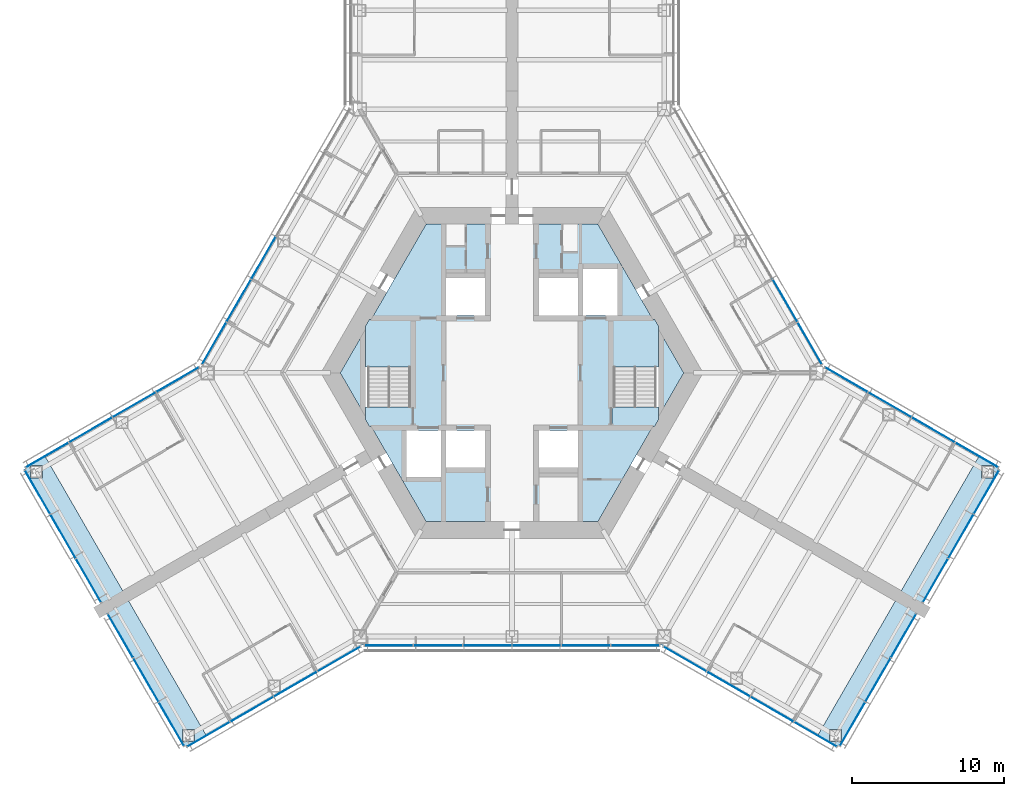
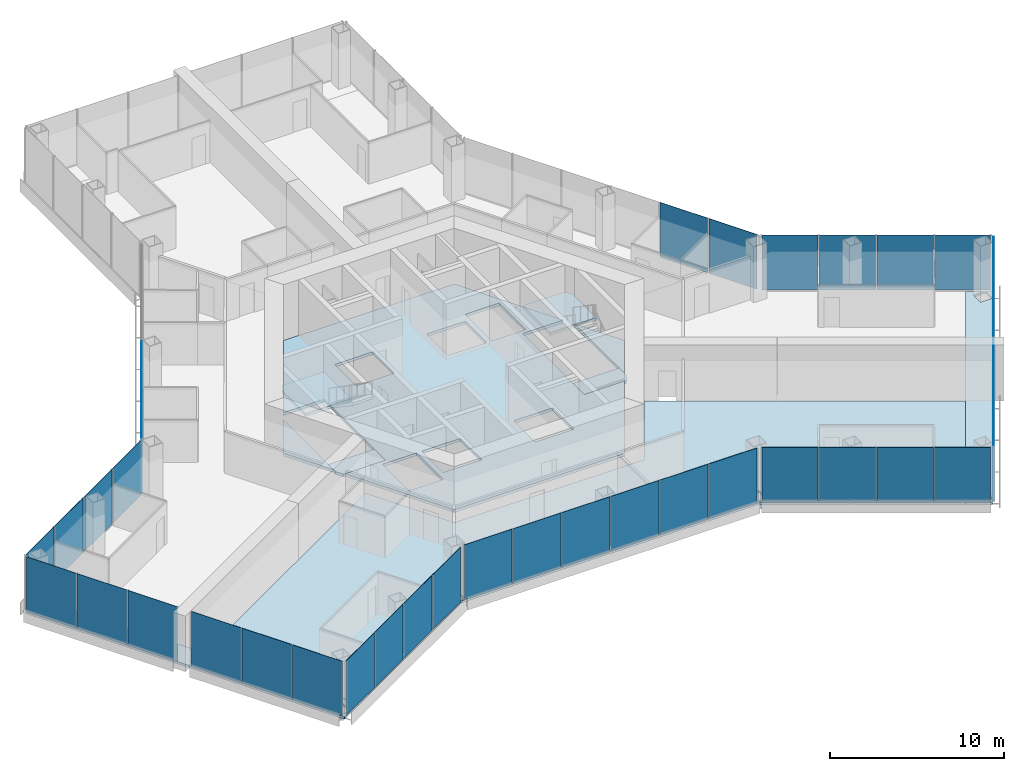
# One storey, part 10 of 18: 39 plates, 10 slabs, 13 elements without a shape of their own.
"""IFC4 building model written with IfcOpenShell, lengths in metres."""

from ifc_helpers import new_model, si_unit, direction, frame, origin, origin_2d, place, context, subcontext, project, spatial, polyline, rectangle, outline, extrude, material, layer, layer_set, type_object, element, aggregate, save


model = new_model("IFC4")

# Units and contexts
model_context = context("Model", 3, precision=1e-05, world=origin(), true_north=direction((0.0, 1.0)))
body_context = subcontext(model_context, "Body", "Model", "MODEL_VIEW")
ifc_project = project(units=[si_unit("LENGTHUNIT", "METRE"), si_unit("AREAUNIT", "SQUARE_METRE"), si_unit("VOLUMEUNIT", "CUBIC_METRE"), si_unit("PLANEANGLEUNIT", "RADIAN"), si_unit("MASSUNIT", "GRAM", prefix="KILO")], contexts=[model_context])

# Site, building, storey
site_placement = place(None, origin())
site = spatial("IfcSite", under=ifc_project, at=site_placement, CompositionType="ELEMENT")
building_placement = place(site_placement, origin())
building = spatial("IfcBuilding", under=site, at=building_placement, Name="Kasaneha Research Tower", CompositionType="ELEMENT")
storey_placement = place(building_placement, frame((0.0, 0.0, 69.0)))
storey = spatial("IfcBuildingStorey", under=building, at=storey_placement, Name="L17", CompositionType="ELEMENT", Elevation=69.0)

# Curtain wall, plates
ifc_material_1 = material(Name="Glass and aluminium", Category="aluminium")
curtain_wall_type = type_object("IfcCurtainWallType", Name="Low-rise office curtain wall", PredefinedType="USERDEFINED", material=ifc_material_1)
curtain_wall_1_placement = place(storey_placement, origin())
curtain_wall_1 = element("IfcCurtainWall", 1, at=curtain_wall_1_placement, inside=storey, type_object=curtain_wall_type, Name="CW-O1 L17 run 01a", ObjectType="UNITISED CURTAIN WALL", PredefinedType="USERDEFINED")
ifc_material_2 = material(Name="Laminated double glazing", Category="glass")
ifc_layer_1 = layer(ifc_material_2, 0.028076171875)
ifc_layer_set_1 = layer_set([ifc_layer_1], Name="CW-O1 glazed panel")
plate_type = type_object("IfcPlateType", Name="CW-O1 glazed panel", PredefinedType="CURTAIN_PANEL", material=ifc_layer_set_1)
plate_1_placement = place(storey_placement, frame((-19.945068359375, -23.755126953125, 0.06005859375), z_axis=(0.0, 0.0, 1.0), x_axis=(0.866025411464, 0.499999986699, 0.0)))
plate_1 = element("IfcPlate", 2, at=plate_1_placement, type_object=plate_type, Name="CW-O1 panel 1", PredefinedType="CURTAIN_PANEL", context=body_context, shape_type="SweptSolid", body=[
    extrude(rectangle(XDim=3.2197265625, YDim=0.028076171875, at=origin_2d()), origin(), (0.0, 0.0, 1.0), 3.840087890625),
])
plate_2_placement = place(storey_placement, frame((-17.091796875, -22.107666015625, 0.06005859375), z_axis=(0.0, 0.0, 1.0), x_axis=(0.866025411464, 0.499999986699, 0.0)))
plate_2 = element("IfcPlate", 3, at=plate_2_placement, type_object=plate_type, Name="CW-O1 panel 2", PredefinedType="CURTAIN_PANEL", context=body_context, shape_type="SweptSolid", body=[
    extrude(rectangle(XDim=3.249755859375, YDim=0.028076171875, at=origin_2d()), origin(), (0.0, 0.0, 1.0), 3.840087890625),
])
plate_3_placement = place(storey_placement, frame((-14.225341796875, -20.452880859375, 0.06005859375), z_axis=(0.0, 0.0, 1.0), x_axis=(0.866025411464, 0.499999986699, 0.0)))
plate_3 = element("IfcPlate", 4, at=plate_3_placement, type_object=plate_type, Name="CW-O1 panel 3", PredefinedType="CURTAIN_PANEL", context=body_context, shape_type="SweptSolid", body=[
    extrude(rectangle(XDim=3.249755859375, YDim=0.028076171875, at=origin_2d()), origin(), (0.0, 0.0, 1.0), 3.840087890625),
])
plate_4_placement = place(storey_placement, frame((-11.3720703125, -18.805419921875, 0.06005859375), z_axis=(0.0, 0.0, 1.0), x_axis=(0.866025411464, 0.499999986699, 0.0)))
plate_4 = element("IfcPlate", 5, at=plate_4_placement, type_object=plate_type, Name="CW-O1 panel 4", PredefinedType="CURTAIN_PANEL", context=body_context, shape_type="SweptSolid", body=[
    extrude(rectangle(XDim=3.2197265625, YDim=0.028076171875, at=origin_2d()), origin(), (0.0, 0.0, 1.0), 3.840087890625),
])
aggregate(curtain_wall_1, [plate_1, plate_2, plate_3, plate_4])

curtain_wall_2_placement = place(storey_placement, origin())
curtain_wall_2 = element("IfcCurtainWall", 6, at=curtain_wall_2_placement, inside=storey, type_object=curtain_wall_type, Name="CW-O1 L17 run 02a", ObjectType="UNITISED CURTAIN WALL", PredefinedType="USERDEFINED")
plate_5_placement = place(storey_placement, frame((-8.10107421875, -17.92041015625, 0.06005859375), z_axis=(0.0, 0.0, 1.0), x_axis=(1.0, 0.0, 0.0)))
plate_5 = element("IfcPlate", 7, at=plate_5_placement, type_object=plate_type, Name="CW-O1 panel 1", PredefinedType="CURTAIN_PANEL", context=body_context, shape_type="SweptSolid", body=[
    extrude(rectangle(XDim=3.156494140625, YDim=0.028076171875, at=origin_2d()), origin(), (0.0, 0.0, 1.0), 3.840087890625),
])
plate_6_placement = place(storey_placement, frame((-4.86962890625, -17.92041015625, 0.06005859375), z_axis=(0.0, 0.0, 1.0), x_axis=(1.0, 0.0, 0.0)))
plate_6 = element("IfcPlate", 8, at=plate_6_placement, type_object=plate_type, Name="CW-O1 panel 2", PredefinedType="CURTAIN_PANEL", context=body_context, shape_type="SweptSolid", body=[
    extrude(rectangle(XDim=3.1865234375, YDim=0.028076171875, at=origin_2d()), origin(), (0.0, 0.0, 1.0), 3.840087890625),
])
plate_7_placement = place(storey_placement, frame((-1.623291015625, -17.92041015625, 0.06005859375), z_axis=(0.0, 0.0, 1.0), x_axis=(1.0, 0.0, 0.0)))
plate_7 = element("IfcPlate", 9, at=plate_7_placement, type_object=plate_type, Name="CW-O1 panel 3", PredefinedType="CURTAIN_PANEL", context=body_context, shape_type="SweptSolid", body=[
    extrude(rectangle(XDim=3.1865234375, YDim=0.028076171875, at=origin_2d()), origin(), (0.0, 0.0, 1.0), 3.840087890625),
])
plate_8_placement = place(storey_placement, frame((1.623291015625, -17.92041015625, 0.06005859375), z_axis=(0.0, 0.0, 1.0), x_axis=(1.0, 0.0, 0.0)))
plate_8 = element("IfcPlate", 10, at=plate_8_placement, type_object=plate_type, Name="CW-O1 panel 4", PredefinedType="CURTAIN_PANEL", context=body_context, shape_type="SweptSolid", body=[
    extrude(rectangle(XDim=3.1865234375, YDim=0.028076171875, at=origin_2d()), origin(), (0.0, 0.0, 1.0), 3.840087890625),
])
plate_9_placement = place(storey_placement, frame((4.86962890625, -17.92041015625, 0.06005859375), z_axis=(0.0, 0.0, 1.0), x_axis=(1.0, 0.0, 0.0)))
plate_9 = element("IfcPlate", 11, at=plate_9_placement, type_object=plate_type, Name="CW-O1 panel 5", PredefinedType="CURTAIN_PANEL", context=body_context, shape_type="SweptSolid", body=[
    extrude(rectangle(XDim=3.1865234375, YDim=0.028076171875, at=origin_2d()), origin(), (0.0, 0.0, 1.0), 3.840087890625),
])
plate_10_placement = place(storey_placement, frame((8.10107421875, -17.92041015625, 0.06005859375), z_axis=(0.0, 0.0, 1.0), x_axis=(1.0, 0.0, 0.0)))
plate_10 = element("IfcPlate", 12, at=plate_10_placement, type_object=plate_type, Name="CW-O1 panel 6", PredefinedType="CURTAIN_PANEL", context=body_context, shape_type="SweptSolid", body=[
    extrude(rectangle(XDim=3.156494140625, YDim=0.028076171875, at=origin_2d()), origin(), (0.0, 0.0, 1.0), 3.840087890625),
])
aggregate(curtain_wall_2, [plate_5, plate_6, plate_7, plate_8, plate_9, plate_10])

curtain_wall_3_placement = place(storey_placement, origin())
curtain_wall_3 = element("IfcCurtainWall", 13, at=curtain_wall_3_placement, inside=storey, type_object=curtain_wall_type, Name="CW-O1 L17 run 03a", ObjectType="UNITISED CURTAIN WALL", PredefinedType="USERDEFINED")
plate_11_placement = place(storey_placement, frame((11.3720703125, -18.805419921875, 0.06005859375), z_axis=(0.0, 0.0, 1.0), x_axis=(0.866025411464, -0.499999986699, 0.0)))
plate_11 = element("IfcPlate", 14, at=plate_11_placement, type_object=plate_type, Name="CW-O1 panel 1", PredefinedType="CURTAIN_PANEL", context=body_context, shape_type="SweptSolid", body=[
    extrude(rectangle(XDim=3.2197265625, YDim=0.028076171875, at=origin_2d()), origin(), (0.0, 0.0, 1.0), 3.840087890625),
])
plate_12_placement = place(storey_placement, frame((14.225341796875, -20.452880859375, 0.06005859375), z_axis=(0.0, 0.0, 1.0), x_axis=(0.866025411464, -0.499999986699, 0.0)))
plate_12 = element("IfcPlate", 15, at=plate_12_placement, type_object=plate_type, Name="CW-O1 panel 2", PredefinedType="CURTAIN_PANEL", context=body_context, shape_type="SweptSolid", body=[
    extrude(rectangle(XDim=3.249755859375, YDim=0.028076171875, at=origin_2d()), origin(), (0.0, 0.0, 1.0), 3.840087890625),
])
plate_13_placement = place(storey_placement, frame((17.091796875, -22.107666015625, 0.06005859375), z_axis=(0.0, 0.0, 1.0), x_axis=(0.866025411464, -0.499999986699, 0.0)))
plate_13 = element("IfcPlate", 16, at=plate_13_placement, type_object=plate_type, Name="CW-O1 panel 3", PredefinedType="CURTAIN_PANEL", context=body_context, shape_type="SweptSolid", body=[
    extrude(rectangle(XDim=3.249755859375, YDim=0.028076171875, at=origin_2d()), origin(), (0.0, 0.0, 1.0), 3.840087890625),
])
plate_14_placement = place(storey_placement, frame((19.945068359375, -23.755126953125, 0.06005859375), z_axis=(0.0, 0.0, 1.0), x_axis=(0.866025411464, -0.499999986699, 0.0)))
plate_14 = element("IfcPlate", 17, at=plate_14_placement, type_object=plate_type, Name="CW-O1 panel 4", PredefinedType="CURTAIN_PANEL", context=body_context, shape_type="SweptSolid", body=[
    extrude(rectangle(XDim=3.2197265625, YDim=0.028076171875, at=origin_2d()), origin(), (0.0, 0.0, 1.0), 3.840087890625),
])
aggregate(curtain_wall_3, [plate_11, plate_12, plate_13, plate_14])

curtain_wall_4_placement = place(storey_placement, origin())
curtain_wall_4 = element("IfcCurtainWall", 18, at=curtain_wall_4_placement, inside=storey, type_object=curtain_wall_type, Name="CW-O1 L17 run 04a", ObjectType="UNITISED CURTAIN WALL", PredefinedType="USERDEFINED")
plate_15_placement = place(storey_placement, frame((22.377197265625, -23.082763671875, 0.06005859375), z_axis=(0.0, 0.0, 1.0), x_axis=(0.500000011442, 0.866025397178, 0.0)))
plate_15 = element("IfcPlate", 19, at=plate_15_placement, type_object=plate_type, Name="CW-O1 panel 1", PredefinedType="CURTAIN_PANEL", context=body_context, shape_type="SweptSolid", body=[
    extrude(rectangle(XDim=3.276611328125, YDim=0.028076171875, at=origin_2d()), origin(), (0.0, 0.0, 1.0), 3.840087890625),
])
plate_16_placement = place(storey_placement, frame((24.052978515625, -20.18017578125, 0.06005859375), z_axis=(0.0, 0.0, 1.0), x_axis=(0.500000011442, 0.866025397178, 0.0)))
plate_16 = element("IfcPlate", 20, at=plate_16_placement, type_object=plate_type, Name="CW-O1 panel 2", PredefinedType="CURTAIN_PANEL", context=body_context, shape_type="SweptSolid", body=[
    extrude(rectangle(XDim=3.306640625, YDim=0.028076171875, at=origin_2d()), origin(), (0.0, 0.0, 1.0), 3.840087890625),
])
plate_17_placement = place(storey_placement, frame((25.728759765625, -17.27734375, 0.06005859375), z_axis=(0.0, 0.0, 1.0), x_axis=(0.500000011442, 0.866025397178, 0.0)))
plate_17 = element("IfcPlate", 21, at=plate_17_placement, type_object=plate_type, Name="CW-O1 panel 3", PredefinedType="CURTAIN_PANEL", context=body_context, shape_type="SweptSolid", body=[
    extrude(rectangle(XDim=3.276611328125, YDim=0.028076171875, at=origin_2d()), origin(), (0.0, 0.0, 1.0), 3.840087890625),
])
aggregate(curtain_wall_4, [plate_15, plate_16, plate_17])

curtain_wall_5_placement = place(storey_placement, origin())
curtain_wall_5 = element("IfcCurtainWall", 22, at=curtain_wall_5_placement, inside=storey, type_object=curtain_wall_type, Name="CW-O1 L17 run 05a", ObjectType="UNITISED CURTAIN WALL", PredefinedType="USERDEFINED")
plate_18_placement = place(storey_placement, frame((27.8271484375, -13.64306640625, 0.06005859375), z_axis=(0.0, 0.0, 1.0), x_axis=(0.500000011442, 0.866025397178, 0.0)))
plate_18 = element("IfcPlate", 23, at=plate_18_placement, type_object=plate_type, Name="CW-O1 panel 1", PredefinedType="CURTAIN_PANEL", context=body_context, shape_type="SweptSolid", body=[
    extrude(rectangle(XDim=3.276611328125, YDim=0.028076171875, at=origin_2d()), origin(), (0.0, 0.0, 1.0), 3.840087890625),
])
plate_19_placement = place(storey_placement, frame((29.5029296875, -10.740478515625, 0.06005859375), z_axis=(0.0, 0.0, 1.0), x_axis=(0.500000011442, 0.866025397178, 0.0)))
plate_19 = element("IfcPlate", 24, at=plate_19_placement, type_object=plate_type, Name="CW-O1 panel 2", PredefinedType="CURTAIN_PANEL", context=body_context, shape_type="SweptSolid", body=[
    extrude(rectangle(XDim=3.306640625, YDim=0.028076171875, at=origin_2d()), origin(), (0.0, 0.0, 1.0), 3.840087890625),
])
plate_20_placement = place(storey_placement, frame((31.1787109375, -7.837890625, 0.06005859375), z_axis=(0.0, 0.0, 1.0), x_axis=(0.500000011442, 0.866025397178, 0.0)))
plate_20 = element("IfcPlate", 25, at=plate_20_placement, type_object=plate_type, Name="CW-O1 panel 3", PredefinedType="CURTAIN_PANEL", context=body_context, shape_type="SweptSolid", body=[
    extrude(rectangle(XDim=3.276611328125, YDim=0.028076171875, at=origin_2d()), origin(), (0.0, 0.0, 1.0), 3.840087890625),
])
aggregate(curtain_wall_5, [plate_18, plate_19, plate_20])

curtain_wall_6_placement = place(storey_placement, origin())
curtain_wall_6 = element("IfcCurtainWall", 26, at=curtain_wall_6_placement, inside=storey, type_object=curtain_wall_type, Name="CW-O1 L17 run 06a", ObjectType="UNITISED CURTAIN WALL", PredefinedType="USERDEFINED")
plate_21_placement = place(storey_placement, frame((30.545166015625, -5.3955078125, 0.06005859375), z_axis=(0.0, 0.0, 1.0), x_axis=(-0.866025411464, 0.499999986699, 0.0)))
plate_21 = element("IfcPlate", 27, at=plate_21_placement, type_object=plate_type, Name="CW-O1 panel 1", PredefinedType="CURTAIN_PANEL", context=body_context, shape_type="SweptSolid", body=[
    extrude(rectangle(XDim=3.2197265625, YDim=0.028076171875, at=origin_2d()), origin(), (0.0, 0.0, 1.0), 3.840087890625),
])
plate_22_placement = place(storey_placement, frame((27.69189453125, -3.748046875, 0.06005859375), z_axis=(0.0, 0.0, 1.0), x_axis=(-0.866025411464, 0.499999986699, 0.0)))
plate_22 = element("IfcPlate", 28, at=plate_22_placement, type_object=plate_type, Name="CW-O1 panel 2", PredefinedType="CURTAIN_PANEL", context=body_context, shape_type="SweptSolid", body=[
    extrude(rectangle(XDim=3.249755859375, YDim=0.028076171875, at=origin_2d()), origin(), (0.0, 0.0, 1.0), 3.840087890625),
])
plate_23_placement = place(storey_placement, frame((24.825439453125, -2.093017578125, 0.06005859375), z_axis=(0.0, 0.0, 1.0), x_axis=(-0.866025411464, 0.499999986699, 0.0)))
plate_23 = element("IfcPlate", 29, at=plate_23_placement, type_object=plate_type, Name="CW-O1 panel 3", PredefinedType="CURTAIN_PANEL", context=body_context, shape_type="SweptSolid", body=[
    extrude(rectangle(XDim=3.249755859375, YDim=0.028076171875, at=origin_2d()), origin(), (0.0, 0.0, 1.0), 3.840087890625),
])
plate_24_placement = place(storey_placement, frame((21.971923828125, -0.44580078125, 0.06005859375), z_axis=(0.0, 0.0, 1.0), x_axis=(-0.866025411464, 0.499999986699, 0.0)))
plate_24 = element("IfcPlate", 30, at=plate_24_placement, type_object=plate_type, Name="CW-O1 panel 4", PredefinedType="CURTAIN_PANEL", context=body_context, shape_type="SweptSolid", body=[
    extrude(rectangle(XDim=3.2197265625, YDim=0.028076171875, at=origin_2d()), origin(), (0.0, 0.0, 1.0), 3.840087890625),
])
aggregate(curtain_wall_6, [plate_21, plate_22, plate_23, plate_24])

curtain_wall_7_placement = place(storey_placement, origin())
curtain_wall_7 = element("IfcCurtainWall", 31, at=curtain_wall_7_placement, inside=storey, type_object=curtain_wall_type, Name="CW-O1 L17 run 07a", ObjectType="UNITISED CURTAIN WALL", PredefinedType="USERDEFINED")
plate_25_placement = place(storey_placement, frame((19.570068359375, 1.944580078125, 0.06005859375), z_axis=(0.0, 0.0, 1.0), x_axis=(-0.49999996188, 0.866025425793, 0.0)))
plate_25 = element("IfcPlate", 32, at=plate_25_placement, type_object=plate_type, Name="CW-O1 panel 1", PredefinedType="CURTAIN_PANEL", context=body_context, shape_type="SweptSolid", body=[
    extrude(rectangle(XDim=3.156494140625, YDim=0.028076171875, at=origin_2d()), origin(), (0.0, 0.0, 1.0), 3.840087890625),
])
plate_26_placement = place(storey_placement, frame((17.954345703125, 4.7431640625, 0.06005859375), z_axis=(0.0, 0.0, 1.0), x_axis=(-0.49999996188, 0.866025425793, 0.0)))
plate_26 = element("IfcPlate", 33, at=plate_26_placement, type_object=plate_type, Name="CW-O1 panel 2", PredefinedType="CURTAIN_PANEL", context=body_context, shape_type="SweptSolid", body=[
    extrude(rectangle(XDim=3.1865234375, YDim=0.028076171875, at=origin_2d()), origin(), (0.0, 0.0, 1.0), 3.840087890625),
])
aggregate(curtain_wall_7, [plate_25, plate_26])

curtain_wall_8_placement = place(storey_placement, origin())
curtain_wall_8 = element("IfcCurtainWall", 34, at=curtain_wall_8_placement, inside=storey, type_object=curtain_wall_type, Name="CW-O1 L17 run 12a", ObjectType="UNITISED CURTAIN WALL", PredefinedType="USERDEFINED")
plate_27_placement = place(storey_placement, frame((-16.331298828125, 7.554443359375, 0.06005859375), z_axis=(0.0, 0.0, 1.0), x_axis=(-0.49999996188, -0.866025425793, 0.0)))
plate_27 = element("IfcPlate", 35, at=plate_27_placement, type_object=plate_type, Name="CW-O1 panel 4", PredefinedType="CURTAIN_PANEL", context=body_context, shape_type="SweptSolid", body=[
    extrude(rectangle(XDim=3.1865234375, YDim=0.028076171875, at=origin_2d()), origin(), (0.0, 0.0, 1.0), 3.840087890625),
])
plate_28_placement = place(storey_placement, frame((-17.954345703125, 4.7431640625, 0.06005859375), z_axis=(0.0, 0.0, 1.0), x_axis=(-0.49999996188, -0.866025425793, 0.0)))
plate_28 = element("IfcPlate", 36, at=plate_28_placement, type_object=plate_type, Name="CW-O1 panel 5", PredefinedType="CURTAIN_PANEL", context=body_context, shape_type="SweptSolid", body=[
    extrude(rectangle(XDim=3.1865234375, YDim=0.028076171875, at=origin_2d()), origin(), (0.0, 0.0, 1.0), 3.840087890625),
])
plate_29_placement = place(storey_placement, frame((-19.570068359375, 1.944580078125, 0.06005859375), z_axis=(0.0, 0.0, 1.0), x_axis=(-0.49999996188, -0.866025425793, 0.0)))
plate_29 = element("IfcPlate", 37, at=plate_29_placement, type_object=plate_type, Name="CW-O1 panel 6", PredefinedType="CURTAIN_PANEL", context=body_context, shape_type="SweptSolid", body=[
    extrude(rectangle(XDim=3.156494140625, YDim=0.028076171875, at=origin_2d()), origin(), (0.0, 0.0, 1.0), 3.840087890625),
])
aggregate(curtain_wall_8, [plate_27, plate_28, plate_29])

curtain_wall_9_placement = place(storey_placement, origin())
curtain_wall_9 = element("IfcCurtainWall", 38, at=curtain_wall_9_placement, inside=storey, type_object=curtain_wall_type, Name="CW-O1 L17 run 13a", ObjectType="UNITISED CURTAIN WALL", PredefinedType="USERDEFINED")
plate_30_placement = place(storey_placement, frame((-21.971923828125, -0.44580078125, 0.06005859375), z_axis=(0.0, 0.0, 1.0), x_axis=(-0.866025411464, -0.499999986699, 0.0)))
plate_30 = element("IfcPlate", 39, at=plate_30_placement, type_object=plate_type, Name="CW-O1 panel 1", PredefinedType="CURTAIN_PANEL", context=body_context, shape_type="SweptSolid", body=[
    extrude(rectangle(XDim=3.2197265625, YDim=0.028076171875, at=origin_2d()), origin(), (0.0, 0.0, 1.0), 3.840087890625),
])
plate_31_placement = place(storey_placement, frame((-24.825439453125, -2.093017578125, 0.06005859375), z_axis=(0.0, 0.0, 1.0), x_axis=(-0.866025411464, -0.499999986699, 0.0)))
plate_31 = element("IfcPlate", 40, at=plate_31_placement, type_object=plate_type, Name="CW-O1 panel 2", PredefinedType="CURTAIN_PANEL", context=body_context, shape_type="SweptSolid", body=[
    extrude(rectangle(XDim=3.249755859375, YDim=0.028076171875, at=origin_2d()), origin(), (0.0, 0.0, 1.0), 3.840087890625),
])
plate_32_placement = place(storey_placement, frame((-27.69189453125, -3.748046875, 0.06005859375), z_axis=(0.0, 0.0, 1.0), x_axis=(-0.866025411464, -0.499999986699, 0.0)))
plate_32 = element("IfcPlate", 41, at=plate_32_placement, type_object=plate_type, Name="CW-O1 panel 3", PredefinedType="CURTAIN_PANEL", context=body_context, shape_type="SweptSolid", body=[
    extrude(rectangle(XDim=3.249755859375, YDim=0.028076171875, at=origin_2d()), origin(), (0.0, 0.0, 1.0), 3.840087890625),
])
plate_33_placement = place(storey_placement, frame((-30.545166015625, -5.3955078125, 0.06005859375), z_axis=(0.0, 0.0, 1.0), x_axis=(-0.866025411464, -0.499999986699, 0.0)))
plate_33 = element("IfcPlate", 42, at=plate_33_placement, type_object=plate_type, Name="CW-O1 panel 4", PredefinedType="CURTAIN_PANEL", context=body_context, shape_type="SweptSolid", body=[
    extrude(rectangle(XDim=3.2197265625, YDim=0.028076171875, at=origin_2d()), origin(), (0.0, 0.0, 1.0), 3.840087890625),
])
aggregate(curtain_wall_9, [plate_30, plate_31, plate_32, plate_33])

curtain_wall_10_placement = place(storey_placement, origin())
curtain_wall_10 = element("IfcCurtainWall", 43, at=curtain_wall_10_placement, inside=storey, type_object=curtain_wall_type, Name="CW-O1 L17 run 14a", ObjectType="UNITISED CURTAIN WALL", PredefinedType="USERDEFINED")
plate_34_placement = place(storey_placement, frame((-31.1787109375, -7.837890625, 0.06005859375), z_axis=(0.0, 0.0, 1.0), x_axis=(0.500000011442, -0.866025397178, 0.0)))
plate_34 = element("IfcPlate", 44, at=plate_34_placement, type_object=plate_type, Name="CW-O1 panel 1", PredefinedType="CURTAIN_PANEL", context=body_context, shape_type="SweptSolid", body=[
    extrude(rectangle(XDim=3.276611328125, YDim=0.028076171875, at=origin_2d()), origin(), (0.0, 0.0, 1.0), 3.840087890625),
])
plate_35_placement = place(storey_placement, frame((-29.5029296875, -10.740478515625, 0.06005859375), z_axis=(0.0, 0.0, 1.0), x_axis=(0.500000011442, -0.866025397178, 0.0)))
plate_35 = element("IfcPlate", 45, at=plate_35_placement, type_object=plate_type, Name="CW-O1 panel 2", PredefinedType="CURTAIN_PANEL", context=body_context, shape_type="SweptSolid", body=[
    extrude(rectangle(XDim=3.306640625, YDim=0.028076171875, at=origin_2d()), origin(), (0.0, 0.0, 1.0), 3.840087890625),
])
plate_36_placement = place(storey_placement, frame((-27.8271484375, -13.64306640625, 0.06005859375), z_axis=(0.0, 0.0, 1.0), x_axis=(0.500000011442, -0.866025397178, 0.0)))
plate_36 = element("IfcPlate", 46, at=plate_36_placement, type_object=plate_type, Name="CW-O1 panel 3", PredefinedType="CURTAIN_PANEL", context=body_context, shape_type="SweptSolid", body=[
    extrude(rectangle(XDim=3.276611328125, YDim=0.028076171875, at=origin_2d()), origin(), (0.0, 0.0, 1.0), 3.840087890625),
])
aggregate(curtain_wall_10, [plate_34, plate_35, plate_36])

curtain_wall_11_placement = place(storey_placement, origin())
curtain_wall_11 = element("IfcCurtainWall", 47, at=curtain_wall_11_placement, inside=storey, type_object=curtain_wall_type, Name="CW-O1 L17 run 15a", ObjectType="UNITISED CURTAIN WALL", PredefinedType="USERDEFINED")
plate_37_placement = place(storey_placement, frame((-25.728759765625, -17.27734375, 0.06005859375), z_axis=(0.0, 0.0, 1.0), x_axis=(0.500000011442, -0.866025397178, 0.0)))
plate_37 = element("IfcPlate", 48, at=plate_37_placement, type_object=plate_type, Name="CW-O1 panel 1", PredefinedType="CURTAIN_PANEL", context=body_context, shape_type="SweptSolid", body=[
    extrude(rectangle(XDim=3.276611328125, YDim=0.028076171875, at=origin_2d()), origin(), (0.0, 0.0, 1.0), 3.840087890625),
])
plate_38_placement = place(storey_placement, frame((-24.052978515625, -20.18017578125, 0.06005859375), z_axis=(0.0, 0.0, 1.0), x_axis=(0.500000011442, -0.866025397178, 0.0)))
plate_38 = element("IfcPlate", 49, at=plate_38_placement, type_object=plate_type, Name="CW-O1 panel 2", PredefinedType="CURTAIN_PANEL", context=body_context, shape_type="SweptSolid", body=[
    extrude(rectangle(XDim=3.306640625, YDim=0.028076171875, at=origin_2d()), origin(), (0.0, 0.0, 1.0), 3.840087890625),
])
plate_39_placement = place(storey_placement, frame((-22.377197265625, -23.082763671875, 0.06005859375), z_axis=(0.0, 0.0, 1.0), x_axis=(0.500000011442, -0.866025397178, 0.0)))
plate_39 = element("IfcPlate", 50, at=plate_39_placement, type_object=plate_type, Name="CW-O1 panel 3", PredefinedType="CURTAIN_PANEL", context=body_context, shape_type="SweptSolid", body=[
    extrude(rectangle(XDim=3.276611328125, YDim=0.028076171875, at=origin_2d()), origin(), (0.0, 0.0, 1.0), 3.840087890625),
])
aggregate(curtain_wall_11, [plate_37, plate_38, plate_39])

# Slabs
ifc_material_3 = material(Name="Concrete Fc24", Category="concrete")
ifc_layer_2 = layer(ifc_material_3, 0.199951171875)
ifc_layer_set_2 = layer_set([ifc_layer_2], Name="Core floor slab 200")
slab_type_1 = type_object("IfcSlabType", Name="Core floor slab 200", PredefinedType="FLOOR", material=ifc_layer_set_2)
slab_1_placement = place(storey_placement, frame((0.0, 0.0, -0.199951171875)))
element("IfcSlab", 51, at=slab_1_placement, inside=storey, type_object=slab_type_1, Name="Core slab L17", PredefinedType="FLOOR", context=body_context, shape_type="SweptSolid", body=[
    extrude(outline(polyline([(-11.287109375, 0.0), (-9.625, 2.87890625), (-9.625, -2.87890625), (-11.287109375, 0.0)])), origin(), (0.0, 0.0, 1.0), 0.199951171875),
])
slab_2_placement = place(storey_placement, frame((0.0, 0.0, -0.199951171875)))
element("IfcSlab", 52, at=slab_2_placement, inside=storey, type_object=slab_type_1, Name="Core slab L17", PredefinedType="FLOOR", context=body_context, shape_type="SweptSolid", body=[
    extrude(outline(polyline([(-5.6435546875, 9.77490234375), (5.6435546875, 9.77490234375), (9.251953125, 3.52490234375), (6.574951171875, 3.52490234375), (6.574951171875, -3.52490234375), (9.251953125, -3.52490234375), (5.6435546875, -9.77490234375), (-5.6435546875, -9.77490234375), (-9.251953125, -3.52490234375), (-6.574951171875, -3.52490234375), (-6.574951171875, 3.52490234375), (-9.251953125, 3.52490234375), (-5.6435546875, 9.77490234375)]), holes=[polyline([(-6.925048828125, -3.77490234375), (-6.925048828125, -6.824951171875), (-4.675048828125, -6.824951171875), (-4.675048828125, -3.77490234375), (-6.925048828125, -3.77490234375)]), polyline([(-4.324951171875, -3.77490234375), (-4.324951171875, -6.22509765625), (-1.77490234375, -6.22509765625), (-1.77490234375, -3.77490234375), (-4.324951171875, -3.77490234375)]), polyline([(1.77490234375, -3.77490234375), (1.77490234375, -6.22509765625), (4.324951171875, -6.22509765625), (4.324951171875, -3.77490234375), (1.77490234375, -3.77490234375)]), polyline([(-4.324951171875, 6.22509765625), (-4.324951171875, 3.77490234375), (-1.77490234375, 3.77490234375), (-1.77490234375, 6.22509765625), (-4.324951171875, 6.22509765625)]), polyline([(1.77490234375, 6.22509765625), (1.77490234375, 3.77490234375), (4.324951171875, 3.77490234375), (4.324951171875, 6.22509765625), (1.77490234375, 6.22509765625)]), polyline([(4.675048828125, 6.824951171875), (4.675048828125, 3.77490234375), (6.925048828125, 3.77490234375), (6.925048828125, 6.824951171875), (4.675048828125, 6.824951171875)])]), origin(), (0.0, 0.0, 1.0), 0.199951171875),
])
slab_3_placement = place(storey_placement, frame((0.0, 0.0, -0.199951171875)))
element("IfcSlab", 53, at=slab_3_placement, inside=storey, type_object=slab_type_1, Name="Core slab L17", PredefinedType="FLOOR", context=body_context, shape_type="SweptSolid", body=[
    extrude(outline(polyline([(11.287109375, 0.0), (9.625, -2.87890625), (9.625, 2.87890625), (11.287109375, 0.0)])), origin(), (0.0, 0.0, 1.0), 0.199951171875),
])
ifc_material_4 = material(Name="Concrete Fc24", Category="concrete")
ifc_layer_3 = layer(ifc_material_4, 0.14990234375)
ifc_layer_set_3 = layer_set([ifc_layer_3], Name="Floor slab 150")
slab_type_2 = type_object("IfcSlabType", Name="Floor slab 150", PredefinedType="FLOOR", material=ifc_layer_set_3)
slab_4_placement = place(storey_placement, frame((0.0, 0.0, -0.14990234375)))
element("IfcSlab", 54, at=slab_4_placement, inside=storey, type_object=slab_type_2, Name="Floor slab L17 1", PredefinedType="FLOOR", context=body_context, shape_type="SweptSolid", body=[
    extrude(outline(polyline([(-25.1923828125, -15.006591796875), (-25.18359375, -15.001708984375), (-20.108642578125, -23.791748046875), (-21.459716796875, -24.57177734375), (-21.65576171875, -24.232177734375), (-21.644287109375, -24.220703125), (-20.858154296875, -24.220703125), (-20.858154296875, -23.42041015625), (-21.658447265625, -23.42041015625), (-21.658447265625, -24.20654296875), (-21.666015625, -24.214111328125), (-31.65576171875, -6.91162109375), (-31.644287109375, -6.900146484375), (-30.858154296875, -6.900146484375), (-30.858154296875, -6.099853515625), (-31.658447265625, -6.099853515625), (-31.658447265625, -6.885986328125), (-31.666015625, -6.8935546875), (-32.009521484375, -6.298583984375), (-30.65869140625, -5.518798828125), (-25.583740234375, -14.308837890625), (-25.59228515625, -14.313720703125), (-25.1923828125, -15.006591796875)])), origin(), (0.0, 0.0, 1.0), 0.14990234375),
])
slab_5_placement = place(storey_placement, frame((0.0, 0.0, -0.14990234375)))
element("IfcSlab", 55, at=slab_5_placement, inside=storey, type_object=slab_type_2, Name="Floor slab L17 4", PredefinedType="FLOOR", context=body_context, shape_type="SweptSolid", body=[
    extrude(outline(polyline([(-6.278564453125, -10.875), (6.278564453125, -10.875), (9.218017578125, -5.783935546875), (25.18359375, -15.001708984375), (20.108642578125, -23.791748046875), (14.369384765625, -20.478271484375), (14.377197265625, -20.470703125), (15.163330078125, -20.470703125), (15.163330078125, -19.67041015625), (14.363037109375, -19.67041015625), (14.363037109375, -20.45654296875), (14.3515625, -20.468017578125), (9.8525390625, -17.87060546875), (-9.8525390625, -17.87060546875), (-15.217529296875, -20.968017578125), (-15.22900390625, -20.95654296875), (-15.22900390625, -20.17041015625), (-16.029296875, -20.17041015625), (-16.029296875, -20.970703125), (-15.2431640625, -20.970703125), (-15.235595703125, -20.978271484375), (-20.108642578125, -23.791748046875), (-25.18359375, -15.001708984375), (-9.218017578125, -5.783935546875), (-6.278564453125, -10.875)]), holes=[polyline([(0.39990234375, -17.720458984375), (0.39990234375, -16.92041015625), (-0.39990234375, -16.92041015625), (-0.39990234375, -17.720458984375), (0.39990234375, -17.720458984375)]), polyline([(-9.550048828125, -16.87060546875), (-10.449951171875, -16.87060546875), (-10.449951171875, -17.7705078125), (-9.550048828125, -17.7705078125), (-9.550048828125, -16.87060546875)]), polyline([(10.449951171875, -16.87060546875), (9.550048828125, -16.87060546875), (9.550048828125, -17.7705078125), (10.449951171875, -17.7705078125), (10.449951171875, -16.87060546875)])]), origin(), (0.0, 0.0, 1.0), 0.14990234375),
])
slab_6_placement = place(storey_placement, frame((0.0, 0.0, -0.14990234375)))
element("IfcSlab", 56, at=slab_6_placement, inside=storey, type_object=slab_type_2, Name="Floor slab L17 6", PredefinedType="FLOOR", context=body_context, shape_type="SweptSolid", body=[
    extrude(outline(polyline([(25.1923828125, -15.006591796875), (25.59228515625, -14.313720703125), (25.583740234375, -14.308837890625), (30.65869140625, -5.518798828125), (32.009521484375, -6.298583984375), (31.666015625, -6.8935546875), (31.658447265625, -6.885986328125), (31.658447265625, -6.099853515625), (30.858154296875, -6.099853515625), (30.858154296875, -6.900146484375), (31.644287109375, -6.900146484375), (31.65576171875, -6.91162109375), (21.666015625, -24.214111328125), (21.658447265625, -24.20654296875), (21.658447265625, -23.42041015625), (20.858154296875, -23.42041015625), (20.858154296875, -24.220703125), (21.644287109375, -24.220703125), (21.65576171875, -24.232177734375), (21.459716796875, -24.57177734375), (20.108642578125, -23.791748046875), (25.18359375, -15.001708984375), (25.1923828125, -15.006591796875)])), origin(), (0.0, 0.0, 1.0), 0.14990234375),
])

# Stair, slabs
ifc_material_5 = material(Name="Concrete Fc24", Category="concrete")
stair_type = type_object("IfcStairType", Name="Half-turn stair 22 risers", PredefinedType="HALF_TURN_STAIR", material=ifc_material_5)
stair_1_placement = place(storey_placement, origin())
stair_1 = element("IfcStair", 57, at=stair_1_placement, inside=storey, type_object=stair_type, Name="Stair 1 L17", PredefinedType="HALF_TURN_STAIR")
ifc_material_6 = material(Name="Concrete Fc24", Category="concrete")
ifc_layer_4 = layer(ifc_material_6, 0.199951171875)
ifc_layer_set_4 = layer_set([ifc_layer_4], Name="Stair 1 landing 200")
slab_type_3 = type_object("IfcSlabType", Name="Stair 1 landing 200", PredefinedType="LANDING", material=ifc_layer_set_4)
slab_7_placement = place(storey_placement, frame((0.0, 0.0, -0.199951171875)))
slab_7 = element("IfcSlab", 58, at=slab_7_placement, type_object=slab_type_3, Name="ST1-22R landing 1", PredefinedType="LANDING", context=body_context, shape_type="SweptSolid", body=[
    extrude(outline(polyline([(9.367431640625, -3.52490234375), (6.574951171875, -3.52490234375), (6.574951171875, -2.22509765625), (9.625, -2.22509765625), (9.625, -3.0791015625), (9.367431640625, -3.52490234375)])), origin(), (0.0, 0.0, 1.0), 0.199951171875),
])
slab_8_placement = place(storey_placement, frame((0.0, 0.0, 1.75)))
slab_8 = element("IfcSlab", 59, at=slab_8_placement, type_object=slab_type_3, Name="ST1-22R landing 2", PredefinedType="LANDING", context=body_context, shape_type="SweptSolid", body=[
    extrude(outline(polyline([(6.574951171875, 3.52490234375), (9.367431640625, 3.52490234375), (9.625, 3.0791015625), (9.625, 0.375), (6.574951171875, 0.375), (6.574951171875, 3.52490234375)])), origin(), (0.0, 0.0, 1.0), 0.199951171875),
])
aggregate(stair_1, [slab_7, slab_8])

stair_2_placement = place(storey_placement, origin())
stair_2 = element("IfcStair", 60, at=stair_2_placement, inside=storey, type_object=stair_type, Name="Stair 2 L17", PredefinedType="HALF_TURN_STAIR")
ifc_material_7 = material(Name="Concrete Fc24", Category="concrete")
ifc_layer_5 = layer(ifc_material_7, 0.199951171875)
ifc_layer_set_5 = layer_set([ifc_layer_5], Name="Stair 2 landing 200")
slab_type_4 = type_object("IfcSlabType", Name="Stair 2 landing 200", PredefinedType="LANDING", material=ifc_layer_set_5)
slab_9_placement = place(storey_placement, frame((0.0, 0.0, -0.199951171875)))
slab_9 = element("IfcSlab", 61, at=slab_9_placement, type_object=slab_type_4, Name="ST2-22R landing 1", PredefinedType="LANDING", context=body_context, shape_type="SweptSolid", body=[
    extrude(outline(polyline([(-6.574951171875, -3.52490234375), (-9.367431640625, -3.52490234375), (-9.625, -3.0791015625), (-9.625, -2.22509765625), (-6.574951171875, -2.22509765625), (-6.574951171875, -3.52490234375)])), origin(), (0.0, 0.0, 1.0), 0.199951171875),
])
slab_10_placement = place(storey_placement, frame((0.0, 0.0, 1.75)))
slab_10 = element("IfcSlab", 62, at=slab_10_placement, type_object=slab_type_4, Name="ST2-22R landing 2", PredefinedType="LANDING", context=body_context, shape_type="SweptSolid", body=[
    extrude(outline(polyline([(-6.574951171875, 0.375), (-9.625, 0.375), (-9.625, 3.0791015625), (-9.367431640625, 3.52490234375), (-6.574951171875, 3.52490234375), (-6.574951171875, 0.375)])), origin(), (0.0, 0.0, 1.0), 0.199951171875),
])
aggregate(stair_2, [slab_9, slab_10])

save(model, "model.ifc")
